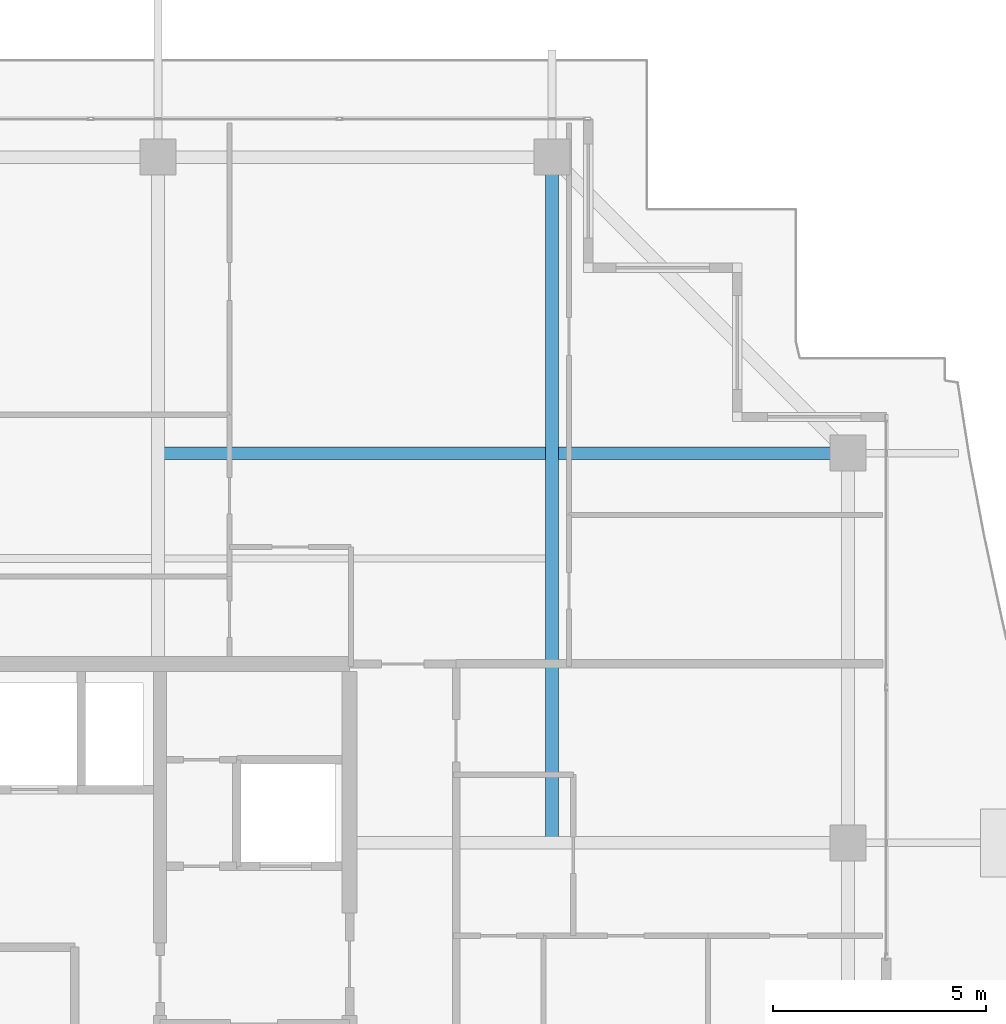
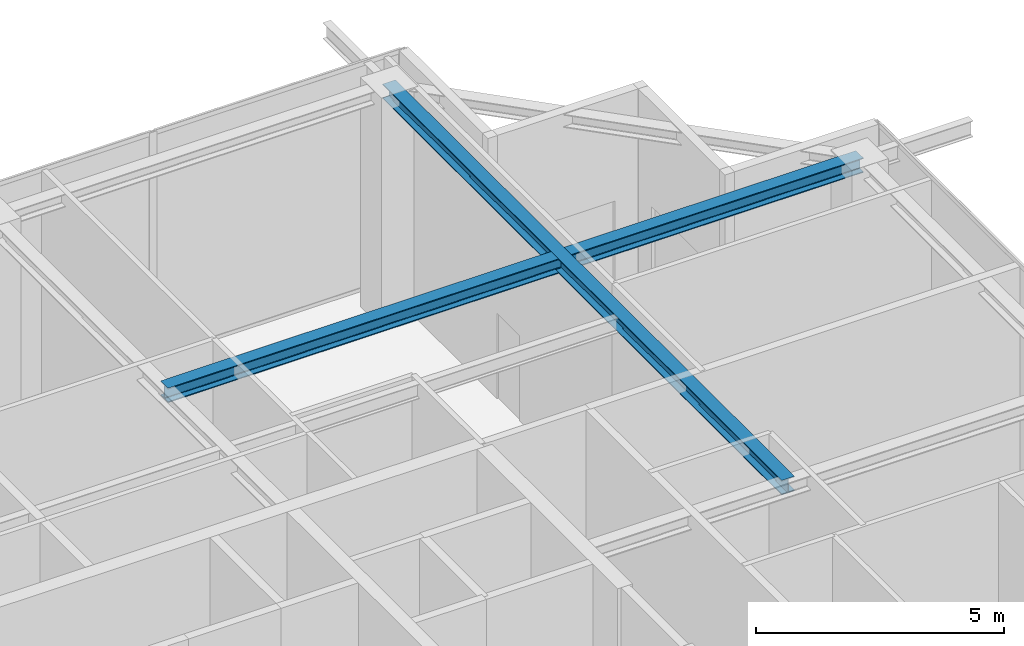
# One storey, part 23 of 38: 2 beams.
"""IFC4 building model written with IfcOpenShell, lengths in metres."""

from ifc_helpers import new_model, si_unit, direction, frame, origin, origin_2d, place, context, subcontext, project, spatial, i_section, extrude, source, transform, mapped, material, material_profile, profile_set, type_object, element, save


model = new_model("IFC4")

# Units and contexts
model_context = context("Model", 3, precision=1e-05, world=origin(), true_north=direction((0.0, 1.0)))
body_context = subcontext(model_context, "Body", "Model", "MODEL_VIEW")
ifc_project = project(units=[si_unit("LENGTHUNIT", "METRE"), si_unit("AREAUNIT", "SQUARE_METRE"), si_unit("VOLUMEUNIT", "CUBIC_METRE"), si_unit("PLANEANGLEUNIT", "RADIAN"), si_unit("MASSUNIT", "GRAM", prefix="KILO")], contexts=[model_context])

# Site, building, storey
site_placement = place(None, origin())
site = spatial("IfcSite", under=ifc_project, at=site_placement, CompositionType="ELEMENT")
building_placement = place(site_placement, origin())
building = spatial("IfcBuilding", under=site, at=building_placement, Name="Serunith Strait Residences", CompositionType="ELEMENT")
storey_placement = place(building_placement, frame((0.0, 0.0, 342.050048828125)))
storey = spatial("IfcBuildingStorey", under=building, at=storey_placement, Name="L85", CompositionType="ELEMENT", Elevation=342.050048828125)

# Beams
ifc_material = material(Name="Steel S355J2", Category="steel")
ifc_material_profile = material_profile(ifc_material, i_section(OverallWidth=0.300048828125, OverallDepth=0.360107421875, WebThickness=0.012451171875, FlangeThickness=0.0224609375, FilletRadius=0.027099609375, at=origin_2d()), Name="HEB 360")
ifc_profile_set = profile_set([ifc_material_profile], Name="Steel S355J2")
beam_type = type_object("IfcBeamType", Name="BM-HEB360", PredefinedType="BEAM", material=ifc_profile_set)
shared_shape_1 = source(origin(), body_context, "Body", "SweptSolid", [
    extrude(i_section(OverallWidth=0.300048828125, OverallDepth=0.360107421875, WebThickness=0.012451171875, FlangeThickness=0.0224609375, FilletRadius=0.027099609375, at=origin_2d()), origin(), (0.0, 0.0, 1.0), 16.10009765625),
])
beam_1_placement = place(storey_placement, frame((46.14990234375, 29.39990234375, 5.45703125), z_axis=(0.0, 1.0, 0.0), x_axis=(-1.0, 0.0, 0.0)))
element("IfcBeam", 1, at=beam_1_placement, inside=storey, type_object=beam_type, Name="L85 Orthogonal Corner Girder TC-N4", PredefinedType="BEAM", context=body_context, shape_type="MappedRepresentation", body=[
    mapped(shared_shape_1, transform((0.0, 0.0, 0.0), scale=1.0)),
])
shared_shape_2 = source(origin(), body_context, "Body", "SweptSolid", [
    extrude(i_section(OverallWidth=0.300048828125, OverallDepth=0.360107421875, WebThickness=0.012451171875, FlangeThickness=0.0224609375, FilletRadius=0.027099609375, at=origin_2d()), origin(), (0.0, 0.0, 1.0), 16.2001953125),
])
beam_2_placement = place(storey_placement, frame((36.89990234375, 38.550048828125, 5.45703125), z_axis=(1.0, 0.0, 0.0), x_axis=(0.0, 1.0, 0.0)))
element("IfcBeam", 2, at=beam_2_placement, inside=storey, type_object=beam_type, Name="L85 Orthogonal Corner Girder TC-E4", PredefinedType="BEAM", context=body_context, shape_type="MappedRepresentation", body=[
    mapped(shared_shape_2, transform((0.0, 0.0, 0.0), scale=1.0)),
])

save(model, "model.ifc")
